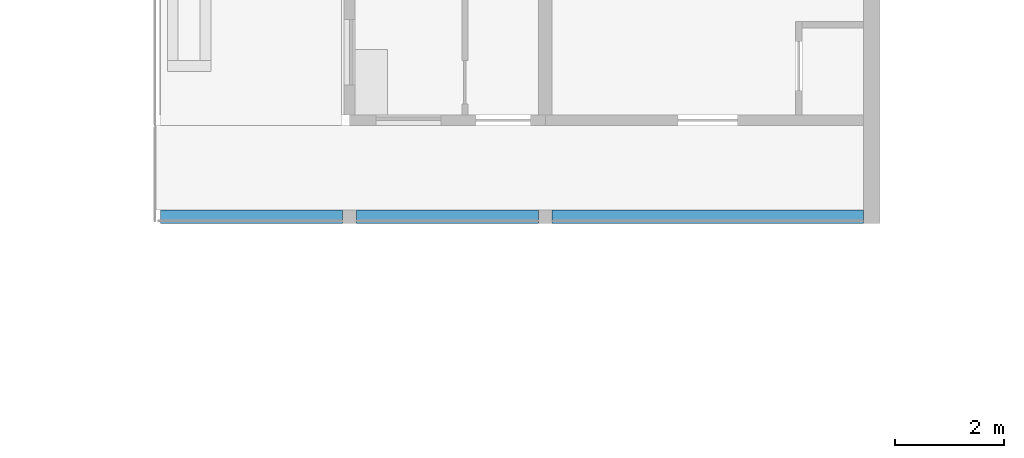
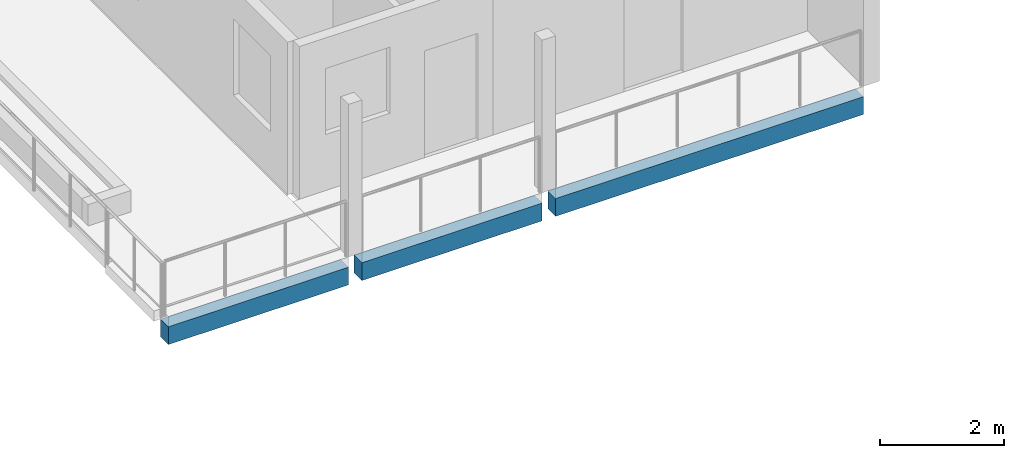
# One storey, part 15 of 64: 3 beams.
"""IFC4 building model written with IfcOpenShell, lengths in metres."""

from ifc_helpers import new_model, si_unit, direction, frame, origin, origin_2d, place, context, subcontext, project, spatial, rectangle, extrude, material, material_profile, profile_set, type_object, element, save


model = new_model("IFC4")

# Units and contexts
model_context = context("Model", 3, precision=1e-05, world=origin(), true_north=direction((0.0, 1.0)))
body_context = subcontext(model_context, "Body", "Model", "MODEL_VIEW")
ifc_project = project(units=[si_unit("LENGTHUNIT", "METRE"), si_unit("AREAUNIT", "SQUARE_METRE"), si_unit("VOLUMEUNIT", "CUBIC_METRE"), si_unit("PLANEANGLEUNIT", "RADIAN"), si_unit("MASSUNIT", "GRAM", prefix="KILO")], contexts=[model_context])

# Site, building, storey
site_placement = place(None, origin())
site = spatial("IfcSite", under=ifc_project, at=site_placement, CompositionType="ELEMENT")
building_placement = place(site_placement, origin())
building = spatial("IfcBuilding", under=site, at=building_placement, Name="Ridgestep Commons", CompositionType="ELEMENT")
storey_placement = place(building_placement, frame((0.0, 0.0, 33.0)))
storey = spatial("IfcBuildingStorey", under=building, at=storey_placement, Name="L11", CompositionType="ELEMENT", Elevation=33.0)

# Beams
ifc_material = material(Name="Precast concrete C40/50", Category="concrete")
ifc_material_profile = material_profile(ifc_material, rectangle(XDim=0.25, YDim=0.35009765625, at=origin_2d()), Name="PC 250x350")
ifc_profile_set = profile_set([ifc_material_profile], Name="Precast concrete C40/50")
beam_type = type_object("IfcBeamType", Name="Loggia edge beam 250 x 350", PredefinedType="SPANDREL", material=ifc_profile_set)
beam_1_placement = place(storey_placement, frame((217.72509765625, 66.125, -0.375), z_axis=(1.0, 0.0, 0.0), x_axis=(0.0, 1.0, 0.0)))
element("IfcBeam", 1, at=beam_1_placement, inside=storey, type_object=beam_type, Name="Loggia edge beam C5T2 L11", PredefinedType="SPANDREL", context=body_context, shape_type="SweptSolid", body=[
    extrude(rectangle(XDim=0.25, YDim=0.35009765625, at=origin_2d()), origin(), (0.0, 0.0, 1.0), 3.349853515625),
])
beam_2_placement = place(storey_placement, frame((221.324951171875, 66.125, -0.375), z_axis=(1.0, 0.0, 0.0), x_axis=(0.0, 1.0, 0.0)))
element("IfcBeam", 2, at=beam_2_placement, inside=storey, type_object=beam_type, Name="Loggia edge beam C5T3 L11", PredefinedType="SPANDREL", context=body_context, shape_type="SweptSolid", body=[
    extrude(rectangle(XDim=0.25, YDim=0.35009765625, at=origin_2d()), origin(), (0.0, 0.0, 1.0), 3.35009765625),
])
beam_3_placement = place(storey_placement, frame((224.925048828125, 66.125, -0.375), z_axis=(1.0, 0.0, 0.0), x_axis=(0.0, 1.0, 0.0)))
element("IfcBeam", 3, at=beam_3_placement, inside=storey, type_object=beam_type, Name="Loggia edge beam C5C L11", PredefinedType="SPANDREL", context=body_context, shape_type="SweptSolid", body=[
    extrude(rectangle(XDim=0.25, YDim=0.35009765625, at=origin_2d()), origin(), (0.0, 0.0, 1.0), 5.724853515625),
])

save(model, "model.ifc")
